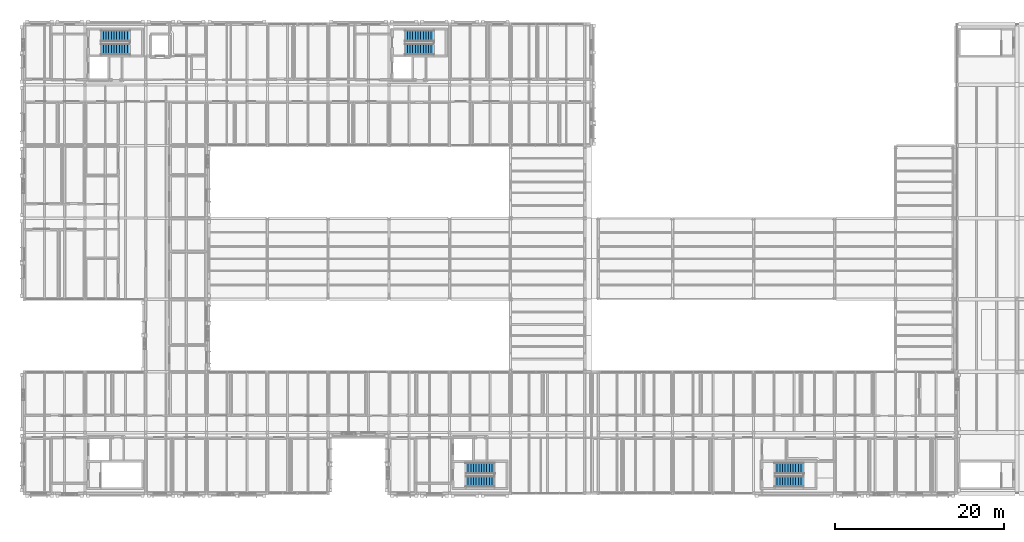
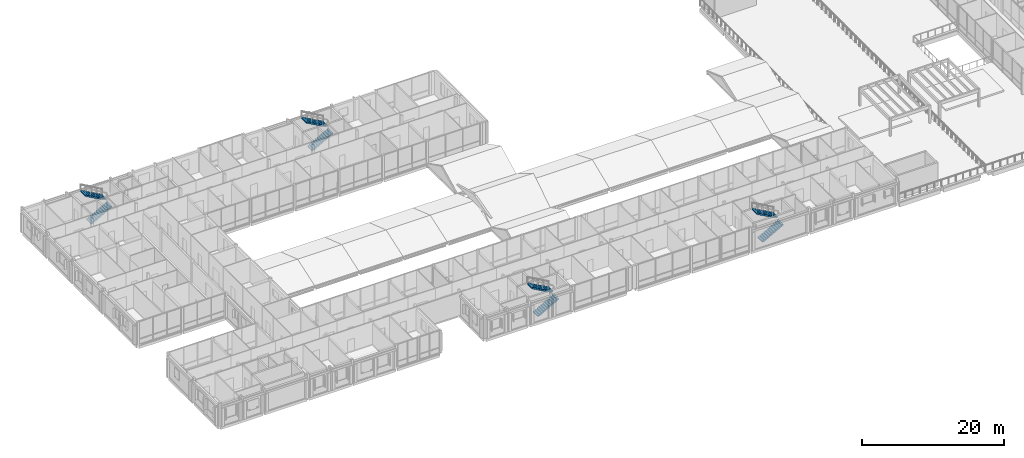
# One storey, part 96 of 115: 8 stair flights, 4 elements without a shape of their own.
"""IFC4 building model written with IfcOpenShell, lengths in metres."""

from ifc_helpers import new_model, si_unit, direction, frame, origin, place, context, subcontext, project, spatial, polyline, outline, extrude, material, type_object, element, aggregate, save


model = new_model("IFC4")

# Units and contexts
model_context = context("Model", 3, precision=1e-05, world=origin(), true_north=direction((0.0, 1.0)))
body_context = subcontext(model_context, "Body", "Model", "MODEL_VIEW")
ifc_project = project(units=[si_unit("LENGTHUNIT", "METRE"), si_unit("AREAUNIT", "SQUARE_METRE"), si_unit("VOLUMEUNIT", "CUBIC_METRE"), si_unit("PLANEANGLEUNIT", "RADIAN"), si_unit("MASSUNIT", "GRAM", prefix="KILO")], contexts=[model_context])

# Site, building, storey
site_placement = place(None, origin())
site = spatial("IfcSite", under=ifc_project, at=site_placement, CompositionType="ELEMENT")
building_placement = place(site_placement, origin())
building = spatial("IfcBuilding", under=site, at=building_placement, Name="Hawrajan Terrace Health Centre", CompositionType="ELEMENT")
storey_placement = place(building_placement, frame((0.0, 0.0, 9.0)))
storey = spatial("IfcBuildingStorey", under=building, at=storey_placement, Name="L02", CompositionType="ELEMENT", Elevation=9.0)

# Stair, stair flights
ifc_material = material(Name="Concrete C40/50", Category="concrete")
stair_type = type_object("IfcStairType", Name="Stair_4200_W1300", PredefinedType="HALF_TURN_STAIR", material=ifc_material)
stair_1_placement = place(storey_placement, origin())
stair_1 = element("IfcStair", 1, at=stair_1_placement, inside=storey, type_object=stair_type, Name="Stair ST-1-L02", PredefinedType="HALF_TURN_STAIR")
stair_flight_type = type_object("IfcStairFlightType", Name="StairFlight_4200_W1300", PredefinedType="STRAIGHT", material=ifc_material)
stair_flight_1_placement = place(storey_placement, frame((13.675048828125, 56.81005859375, 0.0), z_axis=(0.0, 0.0, 1.0), x_axis=(1.0, 0.0, 0.0)))
stair_flight_1 = element("IfcStairFlight", 2, at=stair_flight_1_placement, type_object=stair_flight_type, Name="Stair flight ST-1-L02-F1", NumberOfRisers=12, NumberOfTreads=11, PredefinedType="STRAIGHT", RiserHeight=0.175, TreadLength=0.313636, context=body_context, shape_type="SweptSolid", body=[
    extrude(outline(polyline([(0.0, 0.0), (0.0, 0.175048828125), (0.313720703125, 0.175048828125), (0.313720703125, 0.35009765625), (0.627197265625, 0.35009765625), (0.627197265625, 0.52490234375), (0.94091796875, 0.52490234375), (0.94091796875, 0.699951171875), (1.254638671875, 0.699951171875), (1.254638671875, 0.875), (1.568115234375, 0.875), (1.568115234375, 1.050048828125), (1.8818359375, 1.050048828125), (1.8818359375, 1.22509765625), (2.195556640625, 1.22509765625), (2.195556640625, 1.39990234375), (2.509033203125, 1.39990234375), (2.509033203125, 1.574951171875), (2.82275390625, 1.574951171875), (2.82275390625, 1.75), (3.136474609375, 1.75), (3.136474609375, 1.925048828125), (3.449951171875, 1.925048828125), (3.449951171875, 2.10009765625), (3.449951171875, 1.718994140625), (0.369384765625, 0.0), (0.0, 0.0)])), frame((0.0, 0.64990234375, 0.0), z_axis=(0.0, -1.0, 0.0), x_axis=(1.0, 0.0, 0.0)), (0.0, 0.0, 1.0), 1.300048828125),
])
stair_flight_2_placement = place(storey_placement, frame((17.125, 58.389892578125, 2.10009765625), z_axis=(0.0, 0.0, 1.0), x_axis=(-1.0, 0.0, 0.0)))
stair_flight_2 = element("IfcStairFlight", 3, at=stair_flight_2_placement, type_object=stair_flight_type, Name="Stair flight ST-1-L02-F2", NumberOfRisers=12, NumberOfTreads=11, PredefinedType="STRAIGHT", RiserHeight=0.175, TreadLength=0.313636, context=body_context, shape_type="SweptSolid", body=[
    extrude(outline(polyline([(0.0, 0.0), (0.0, 0.175048828125), (0.313720703125, 0.175048828125), (0.313720703125, 0.35009765625), (0.627197265625, 0.35009765625), (0.627197265625, 0.52490234375), (0.94091796875, 0.52490234375), (0.94091796875, 0.699951171875), (1.254638671875, 0.699951171875), (1.254638671875, 0.875), (1.568115234375, 0.875), (1.568115234375, 1.050048828125), (1.8818359375, 1.050048828125), (1.8818359375, 1.22509765625), (2.195556640625, 1.22509765625), (2.195556640625, 1.39990234375), (2.509033203125, 1.39990234375), (2.509033203125, 1.574951171875), (2.82275390625, 1.574951171875), (2.82275390625, 1.75), (3.136474609375, 1.75), (3.136474609375, 1.925048828125), (3.449951171875, 1.925048828125), (3.449951171875, 2.10009765625), (3.449951171875, 1.718994140625), (0.369384765625, 0.0), (0.0, 0.0)])), frame((0.0, 0.64990234375, 0.0), z_axis=(0.0, -1.0, 0.0), x_axis=(1.0, 0.0, 0.0)), (0.0, 0.0, 1.0), 1.300048828125),
])
aggregate(stair_1, [stair_flight_1, stair_flight_2])

stair_2_placement = place(storey_placement, origin())
stair_2 = element("IfcStair", 4, at=stair_2_placement, inside=storey, type_object=stair_type, Name="Stair ST-2-L02", PredefinedType="HALF_TURN_STAIR")
stair_flight_3_placement = place(storey_placement, frame((49.675048828125, 56.81005859375, 0.0), z_axis=(0.0, 0.0, 1.0), x_axis=(1.0, 0.0, 0.0)))
stair_flight_3 = element("IfcStairFlight", 5, at=stair_flight_3_placement, type_object=stair_flight_type, Name="Stair flight ST-2-L02-F1", NumberOfRisers=12, NumberOfTreads=11, PredefinedType="STRAIGHT", RiserHeight=0.175, TreadLength=0.313636, context=body_context, shape_type="SweptSolid", body=[
    extrude(outline(polyline([(0.0, 0.0), (0.0, 0.175048828125), (0.313720703125, 0.175048828125), (0.313720703125, 0.35009765625), (0.627197265625, 0.35009765625), (0.627197265625, 0.52490234375), (0.94091796875, 0.52490234375), (0.94091796875, 0.699951171875), (1.254638671875, 0.699951171875), (1.254638671875, 0.875), (1.568115234375, 0.875), (1.568115234375, 1.050048828125), (1.8818359375, 1.050048828125), (1.8818359375, 1.22509765625), (2.195556640625, 1.22509765625), (2.195556640625, 1.39990234375), (2.509033203125, 1.39990234375), (2.509033203125, 1.574951171875), (2.82275390625, 1.574951171875), (2.82275390625, 1.75), (3.136474609375, 1.75), (3.136474609375, 1.925048828125), (3.449951171875, 1.925048828125), (3.449951171875, 2.10009765625), (3.449951171875, 1.718994140625), (0.369384765625, 0.0), (0.0, 0.0)])), frame((0.0, 0.64990234375, 0.0), z_axis=(0.0, -1.0, 0.0), x_axis=(1.0, 0.0, 0.0)), (0.0, 0.0, 1.0), 1.300048828125),
])
stair_flight_4_placement = place(storey_placement, frame((53.125, 58.389892578125, 2.10009765625), z_axis=(0.0, 0.0, 1.0), x_axis=(-1.0, 0.0, 0.0)))
stair_flight_4 = element("IfcStairFlight", 6, at=stair_flight_4_placement, type_object=stair_flight_type, Name="Stair flight ST-2-L02-F2", NumberOfRisers=12, NumberOfTreads=11, PredefinedType="STRAIGHT", RiserHeight=0.175, TreadLength=0.313636, context=body_context, shape_type="SweptSolid", body=[
    extrude(outline(polyline([(0.0, 0.0), (0.0, 0.175048828125), (0.313720703125, 0.175048828125), (0.313720703125, 0.35009765625), (0.627197265625, 0.35009765625), (0.627197265625, 0.52490234375), (0.94091796875, 0.52490234375), (0.94091796875, 0.699951171875), (1.254638671875, 0.699951171875), (1.254638671875, 0.875), (1.568115234375, 0.875), (1.568115234375, 1.050048828125), (1.8818359375, 1.050048828125), (1.8818359375, 1.22509765625), (2.195556640625, 1.22509765625), (2.195556640625, 1.39990234375), (2.509033203125, 1.39990234375), (2.509033203125, 1.574951171875), (2.82275390625, 1.574951171875), (2.82275390625, 1.75), (3.136474609375, 1.75), (3.136474609375, 1.925048828125), (3.449951171875, 1.925048828125), (3.449951171875, 2.10009765625), (3.449951171875, 1.718994140625), (0.369384765625, 0.0), (0.0, 0.0)])), frame((0.0, 0.64990234375, 0.0), z_axis=(0.0, -1.0, 0.0), x_axis=(1.0, 0.0, 0.0)), (0.0, 0.0, 1.0), 1.300048828125),
])
aggregate(stair_2, [stair_flight_3, stair_flight_4])

stair_3_placement = place(storey_placement, origin())
stair_3 = element("IfcStair", 7, at=stair_3_placement, inside=storey, type_object=stair_type, Name="Stair ST-4-L02", PredefinedType="HALF_TURN_STAIR")
stair_flight_5_placement = place(storey_placement, frame((56.875, 5.610107421875, 0.0), z_axis=(0.0, 0.0, 1.0), x_axis=(1.0, 0.0, 0.0)))
stair_flight_5 = element("IfcStairFlight", 8, at=stair_flight_5_placement, type_object=stair_flight_type, Name="Stair flight ST-4-L02-F1", NumberOfRisers=12, NumberOfTreads=11, PredefinedType="STRAIGHT", RiserHeight=0.175, TreadLength=0.313636, context=body_context, shape_type="SweptSolid", body=[
    extrude(outline(polyline([(0.0, 0.0), (0.0, 0.175048828125), (0.313720703125, 0.175048828125), (0.313720703125, 0.35009765625), (0.627197265625, 0.35009765625), (0.627197265625, 0.52490234375), (0.94091796875, 0.52490234375), (0.94091796875, 0.699951171875), (1.254638671875, 0.699951171875), (1.254638671875, 0.875), (1.568115234375, 0.875), (1.568115234375, 1.050048828125), (1.8818359375, 1.050048828125), (1.8818359375, 1.22509765625), (2.195556640625, 1.22509765625), (2.195556640625, 1.39990234375), (2.509033203125, 1.39990234375), (2.509033203125, 1.574951171875), (2.82275390625, 1.574951171875), (2.82275390625, 1.75), (3.136474609375, 1.75), (3.136474609375, 1.925048828125), (3.449951171875, 1.925048828125), (3.449951171875, 2.10009765625), (3.449951171875, 1.718994140625), (0.369384765625, 0.0), (0.0, 0.0)])), frame((0.0, 0.64990234375, 0.0), z_axis=(0.0, -1.0, 0.0), x_axis=(1.0, 0.0, 0.0)), (0.0, 0.0, 1.0), 1.300048828125),
])
stair_flight_6_placement = place(storey_placement, frame((60.324951171875, 7.18994140625, 2.10009765625), z_axis=(0.0, 0.0, 1.0), x_axis=(-1.0, 0.0, 0.0)))
stair_flight_6 = element("IfcStairFlight", 9, at=stair_flight_6_placement, type_object=stair_flight_type, Name="Stair flight ST-4-L02-F2", NumberOfRisers=12, NumberOfTreads=11, PredefinedType="STRAIGHT", RiserHeight=0.175, TreadLength=0.313636, context=body_context, shape_type="SweptSolid", body=[
    extrude(outline(polyline([(0.0, 0.0), (0.0, 0.175048828125), (0.313720703125, 0.175048828125), (0.313720703125, 0.35009765625), (0.627197265625, 0.35009765625), (0.627197265625, 0.52490234375), (0.94091796875, 0.52490234375), (0.94091796875, 0.699951171875), (1.254638671875, 0.699951171875), (1.254638671875, 0.875), (1.568115234375, 0.875), (1.568115234375, 1.050048828125), (1.8818359375, 1.050048828125), (1.8818359375, 1.22509765625), (2.195556640625, 1.22509765625), (2.195556640625, 1.39990234375), (2.509033203125, 1.39990234375), (2.509033203125, 1.574951171875), (2.82275390625, 1.574951171875), (2.82275390625, 1.75), (3.136474609375, 1.75), (3.136474609375, 1.925048828125), (3.449951171875, 1.925048828125), (3.449951171875, 2.10009765625), (3.449951171875, 1.718994140625), (0.369384765625, 0.0), (0.0, 0.0)])), frame((0.0, 0.64990234375, 0.0), z_axis=(0.0, -1.0, 0.0), x_axis=(1.0, 0.0, 0.0)), (0.0, 0.0, 1.0), 1.300048828125),
])
aggregate(stair_3, [stair_flight_5, stair_flight_6])

stair_4_placement = place(storey_placement, origin())
stair_4 = element("IfcStair", 10, at=stair_4_placement, inside=storey, type_object=stair_type, Name="Stair ST-5-L02", PredefinedType="HALF_TURN_STAIR")
stair_flight_7_placement = place(storey_placement, frame((93.47509765625, 5.610107421875, 0.0), z_axis=(0.0, 0.0, 1.0), x_axis=(1.0, 0.0, 0.0)))
stair_flight_7 = element("IfcStairFlight", 11, at=stair_flight_7_placement, type_object=stair_flight_type, Name="Stair flight ST-5-L02-F1", NumberOfRisers=12, NumberOfTreads=11, PredefinedType="STRAIGHT", RiserHeight=0.175, TreadLength=0.313636, context=body_context, shape_type="SweptSolid", body=[
    extrude(outline(polyline([(0.0, 0.0), (0.0, 0.175048828125), (0.313720703125, 0.175048828125), (0.313720703125, 0.35009765625), (0.627197265625, 0.35009765625), (0.627197265625, 0.52490234375), (0.94091796875, 0.52490234375), (0.94091796875, 0.699951171875), (1.254638671875, 0.699951171875), (1.254638671875, 0.875), (1.568115234375, 0.875), (1.568115234375, 1.050048828125), (1.8818359375, 1.050048828125), (1.8818359375, 1.22509765625), (2.195556640625, 1.22509765625), (2.195556640625, 1.39990234375), (2.509033203125, 1.39990234375), (2.509033203125, 1.574951171875), (2.82275390625, 1.574951171875), (2.82275390625, 1.75), (3.136474609375, 1.75), (3.136474609375, 1.925048828125), (3.449951171875, 1.925048828125), (3.449951171875, 2.10009765625), (3.449951171875, 1.718994140625), (0.369384765625, 0.0), (0.0, 0.0)])), frame((0.0, 0.64990234375, 0.0), z_axis=(0.0, -1.0, 0.0), x_axis=(1.0, 0.0, 0.0)), (0.0, 0.0, 1.0), 1.300048828125),
])
stair_flight_8_placement = place(storey_placement, frame((96.925048828125, 7.18994140625, 2.10009765625), z_axis=(0.0, 0.0, 1.0), x_axis=(-1.0, 0.0, 0.0)))
stair_flight_8 = element("IfcStairFlight", 12, at=stair_flight_8_placement, type_object=stair_flight_type, Name="Stair flight ST-5-L02-F2", NumberOfRisers=12, NumberOfTreads=11, PredefinedType="STRAIGHT", RiserHeight=0.175, TreadLength=0.313636, context=body_context, shape_type="SweptSolid", body=[
    extrude(outline(polyline([(0.0, 0.0), (0.0, 0.175048828125), (0.313720703125, 0.175048828125), (0.313720703125, 0.35009765625), (0.627197265625, 0.35009765625), (0.627197265625, 0.52490234375), (0.94091796875, 0.52490234375), (0.94091796875, 0.699951171875), (1.254638671875, 0.699951171875), (1.254638671875, 0.875), (1.568115234375, 0.875), (1.568115234375, 1.050048828125), (1.8818359375, 1.050048828125), (1.8818359375, 1.22509765625), (2.195556640625, 1.22509765625), (2.195556640625, 1.39990234375), (2.509033203125, 1.39990234375), (2.509033203125, 1.574951171875), (2.82275390625, 1.574951171875), (2.82275390625, 1.75), (3.136474609375, 1.75), (3.136474609375, 1.925048828125), (3.449951171875, 1.925048828125), (3.449951171875, 2.10009765625), (3.449951171875, 1.718994140625), (0.369384765625, 0.0), (0.0, 0.0)])), frame((0.0, 0.64990234375, 0.0), z_axis=(0.0, -1.0, 0.0), x_axis=(1.0, 0.0, 0.0)), (0.0, 0.0, 1.0), 1.300048828125),
])
aggregate(stair_4, [stair_flight_7, stair_flight_8])

save(model, "model.ifc")
